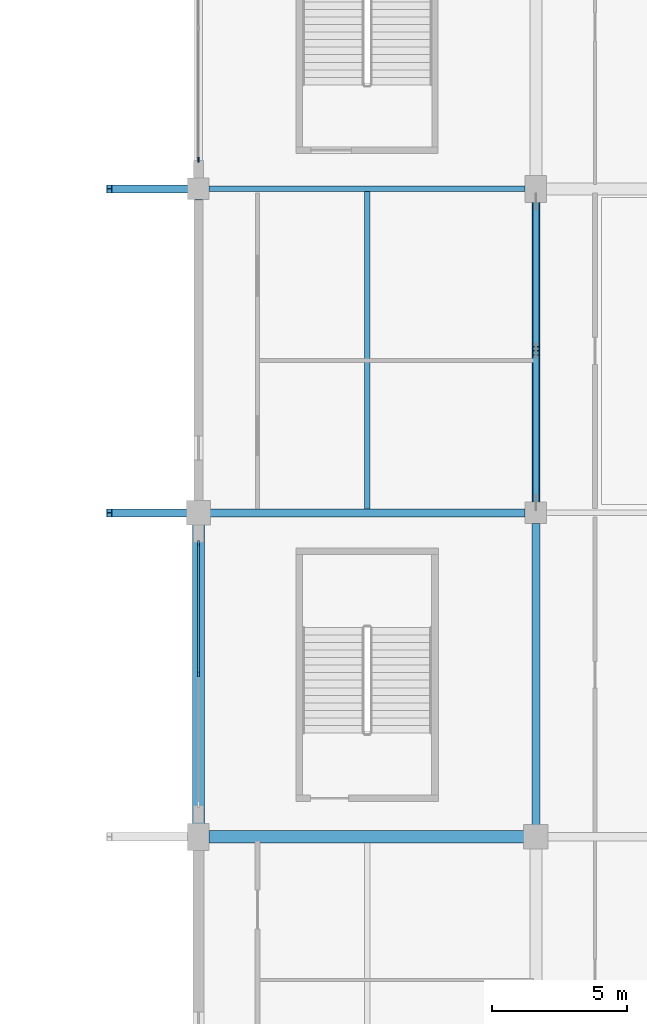
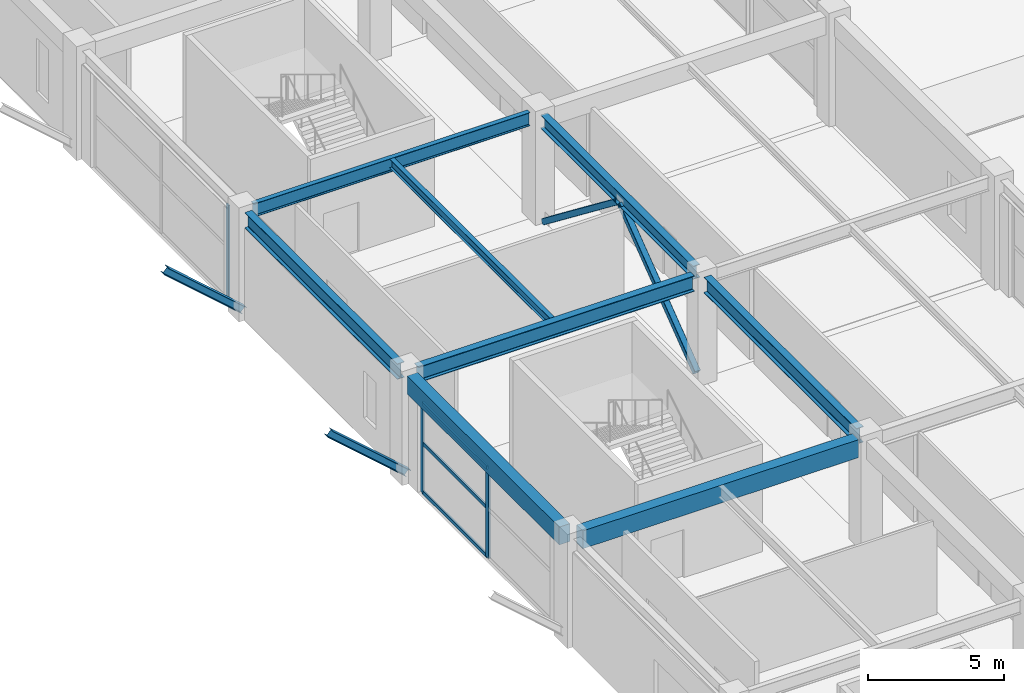
# One storey, part 35 of 116: 10 members, 8 beams, 2 elements without a shape of their own.
"""IFC4 building model written with IfcOpenShell, lengths in metres."""

from ifc_helpers import new_model, si_unit, direction, frame, origin, origin_2d, place, context, subcontext, project, spatial, rectangle, hollow_rectangle, i_section, extrude, material, layer, layer_set, material_profile, profile_set, type_object, element, aggregate, save


model = new_model("IFC4")

# Units and contexts
model_context = context("Model", 3, precision=1e-05, world=origin(), true_north=direction((0.0, 1.0)))
body_context = subcontext(model_context, "Body", "Model", "MODEL_VIEW")
ifc_project = project(units=[si_unit("LENGTHUNIT", "METRE"), si_unit("AREAUNIT", "SQUARE_METRE"), si_unit("VOLUMEUNIT", "CUBIC_METRE"), si_unit("PLANEANGLEUNIT", "RADIAN"), si_unit("MASSUNIT", "GRAM", prefix="KILO")], contexts=[model_context])

# Site, building, storey
site_placement = place(None, origin())
site = spatial("IfcSite", under=ifc_project, at=site_placement, CompositionType="ELEMENT")
building_placement = place(site_placement, origin())
building = spatial("IfcBuilding", under=site, at=building_placement, Name="Kazenohara Klinker Stadium", CompositionType="ELEMENT")
storey_placement = place(building_placement, frame((0.0, 0.0, 10.199951171875)))
storey = spatial("IfcBuildingStorey", under=building, at=storey_placement, Name="L02", CompositionType="ELEMENT", Elevation=10.199951171875)

# Beams
ifc_material_1 = material(Name="Steel S355", Category="steel")
ifc_material_profile_1 = material_profile(ifc_material_1, i_section(OverallWidth=0.199951171875, OverallDepth=0.39990234375, WebThickness=0.008056640625, FlangeThickness=0.012939453125, FilletRadius=0.012939453125, at=origin_2d()), Name="H-400x200x8x13")
ifc_profile_set_1 = profile_set([ifc_material_profile_1], Name="Steel S355")
beam_type_1 = type_object("IfcBeamType", Name="BM-JST03", PredefinedType="JOIST", material=ifc_profile_set_1)
beam_1_placement = place(storey_placement, frame((181.25, 60.14990234375, 4.6201171875), z_axis=(0.0, 1.0, 0.0), x_axis=(-1.0, 0.0, 0.0)))
element("IfcBeam", 1, at=beam_1_placement, inside=storey, type_object=beam_type_1, Name="Secondary floor joist SJ03 L02 15/F", PredefinedType="JOIST", context=body_context, shape_type="SweptSolid", body=[
    extrude(i_section(OverallWidth=0.199951171875, OverallDepth=0.39990234375, WebThickness=0.008056640625, FlangeThickness=0.012939453125, FilletRadius=0.012939453125, at=origin_2d()), origin(), (0.0, 0.0, 1.0), 11.75),
])
ifc_material_2 = material(Name="Concrete C40/50", Category="concrete")
ifc_material_profile_2 = material_profile(ifc_material_2, rectangle(XDim=0.449951171875, YDim=0.800048828125, at=origin_2d()), Name="RC-BM-450x800")
ifc_profile_set_2 = profile_set([ifc_material_profile_2], Name="Concrete C40/50")
beam_type_2 = type_object("IfcBeamType", Name="BM-RC03", PredefinedType="BEAM", material=ifc_profile_set_2)
beam_2_placement = place(storey_placement, frame((175.39990234375, 48.0, 4.420166015625), z_axis=(1.0, 0.0, 0.0), x_axis=(0.0, 1.0, 0.0)))
element("IfcBeam", 2, at=beam_2_placement, inside=storey, type_object=beam_type_2, Name="Primary girder BG03 L02 15-16/E", PredefinedType="BEAM", context=body_context, shape_type="SweptSolid", body=[
    extrude(rectangle(XDim=0.449951171875, YDim=0.800048828125, at=origin_2d()), origin(), (0.0, 0.0, 1.0), 11.68017578125),
])
beam_3_placement = place(storey_placement, frame((175.0, 48.419921875, 4.420166015625), z_axis=(0.0, 1.0, 0.0), x_axis=(-1.0, 0.0, 0.0)))
element("IfcBeam", 3, at=beam_3_placement, inside=storey, type_object=beam_type_2, Name="Primary girder BG03 L02 15/E-F", PredefinedType="BEAM", context=body_context, shape_type="SweptSolid", body=[
    extrude(rectangle(XDim=0.449951171875, YDim=0.800048828125, at=origin_2d()), origin(), (0.0, 0.0, 1.0), 11.16015625),
])
ifc_material_profile_3 = material_profile(ifc_material_1, i_section(OverallWidth=0.300048828125, OverallDepth=0.699951171875, WebThickness=0.012939453125, FlangeThickness=0.02392578125, FilletRadius=0.02197265625, at=origin_2d()), Name="H-700x300x13x24")
ifc_profile_set_3 = profile_set([ifc_material_profile_3], Name="Steel S355")
beam_type_3 = type_object("IfcBeamType", Name="BM-ST03", PredefinedType="BEAM", material=ifc_profile_set_3)
beam_4_placement = place(storey_placement, frame((175.419921875, 60.0, 4.469970703125), z_axis=(1.0, 0.0, 0.0), x_axis=(0.0, 1.0, 0.0)))
element("IfcBeam", 4, at=beam_4_placement, inside=storey, type_object=beam_type_3, Name="Primary girder SB03 L02 15-16/F", PredefinedType="BEAM", context=body_context, shape_type="SweptSolid", body=[
    extrude(i_section(OverallWidth=0.300048828125, OverallDepth=0.699951171875, WebThickness=0.012939453125, FlangeThickness=0.02392578125, FilletRadius=0.02197265625, at=origin_2d()), origin(), (0.0, 0.0, 1.0), 11.68017578125),
])
for number, where, z_axis, x_axis, name in (
    (5, (175.0, 60.419921875, 4.469970703125), (0.0, 1.0, 0.0), (-1.0, 0.0, 0.0), "Primary girder SB03 L02 15/F-G"),
    (6, (187.5, 48.419921875, 4.469970703125), (0.0, 1.0, 0.0), (-1.0, 0.0, 0.0), "Primary girder SB03 L02 16/E-F"),
):
    element("IfcBeam", number, at=place(storey_placement, frame(where, z_axis=z_axis, x_axis=x_axis)), inside=storey, type_object=beam_type_3, Name=name, PredefinedType="BEAM", context=body_context, shape_type="SweptSolid", body=[
        extrude(i_section(OverallWidth=0.300048828125, OverallDepth=0.699951171875, WebThickness=0.012939453125, FlangeThickness=0.02392578125, FilletRadius=0.02197265625, at=origin_2d()), origin(), (0.0, 0.0, 1.0), 11.18017578125),
    ])
ifc_material_profile_4 = material_profile(ifc_material_1, i_section(OverallWidth=0.199951171875, OverallDepth=0.60009765625, WebThickness=0.010986328125, FlangeThickness=0.01708984375, FilletRadius=0.012939453125, at=origin_2d()), Name="H-600x200x11x17")
ifc_profile_set_4 = profile_set([ifc_material_profile_4], Name="Steel S355")
beam_type_4 = type_object("IfcBeamType", Name="BM-ST04", PredefinedType="BEAM", material=ifc_profile_set_4)
beam_5_placement = place(storey_placement, frame((175.39990234375, 72.0, 4.52001953125), z_axis=(1.0, 0.0, 0.0), x_axis=(0.0, 1.0, 0.0)))
element("IfcBeam", 7, at=beam_5_placement, inside=storey, type_object=beam_type_4, Name="Primary girder SB04 L02 15-16/G", PredefinedType="BEAM", context=body_context, shape_type="SweptSolid", body=[
    extrude(i_section(OverallWidth=0.199951171875, OverallDepth=0.60009765625, WebThickness=0.010986328125, FlangeThickness=0.01708984375, FilletRadius=0.012939453125, at=origin_2d()), origin(), (0.0, 0.0, 1.0), 11.7001953125),
])
ifc_material_profile_5 = material_profile(ifc_material_1, i_section(OverallWidth=0.300048828125, OverallDepth=0.587890625, WebThickness=0.011962890625, FlangeThickness=0.02001953125, FilletRadius=0.02197265625, at=origin_2d()), Name="H-588x300x12x20")
ifc_profile_set_5 = profile_set([ifc_material_profile_5], Name="Steel S355")
beam_type_5 = type_object("IfcBeamType", Name="BM-ST05", PredefinedType="BEAM", material=ifc_profile_set_5)
beam_6_placement = place(storey_placement, frame((187.5, 60.39990234375, 4.526123046875), z_axis=(0.0, 1.0, 0.0), x_axis=(-1.0, 0.0, 0.0)))
element("IfcBeam", 8, at=beam_6_placement, inside=storey, type_object=beam_type_5, Name="Primary girder SB05 L02 16/F-G", PredefinedType="BEAM", context=body_context, shape_type="SweptSolid", body=[
    extrude(i_section(OverallWidth=0.300048828125, OverallDepth=0.587890625, WebThickness=0.011962890625, FlangeThickness=0.02001953125, FilletRadius=0.02197265625, at=origin_2d()), origin(), (0.0, 0.0, 1.0), 11.18017578125),
])

# Curtain wall, member
ifc_material_3 = material(Name="Anodised aluminium and triple glazing", Category="aluminium")
ifc_layer_1 = layer(ifc_material_3, 0.18994140625)
ifc_layer_set_1 = layer_set([ifc_layer_1], Name="Anodised aluminium and triple glazing")
curtain_wall_type_1 = type_object("IfcCurtainWallType", Name="CW-SYS-05", PredefinedType="USERDEFINED", material=ifc_layer_set_1)
curtain_wall_1_placement = place(storey_placement, origin())
curtain_wall_1 = element("IfcCurtainWall", 9, at=curtain_wall_1_placement, inside=storey, type_object=curtain_wall_type_1, Name="Unitised facade curtain wall CW05 L02 Y14-6", ObjectType="UNITISED CURTAIN WALL", PredefinedType="USERDEFINED")
ifc_material_4 = material(Name="Anodised aluminium 6063-T6", Category="aluminium")
ifc_material_profile_6 = material_profile(ifc_material_4, rectangle(XDim=0.06494140625, YDim=0.179931640625, at=origin_2d()), Name="ALU-MUL-65x180")
ifc_profile_set_6 = profile_set([ifc_material_profile_6], Name="Anodised aluminium 6063-T6")
member_type_1 = type_object("IfcMemberType", Name="CW-MUL-180", PredefinedType="MULLION", material=ifc_profile_set_6)
member_1_placement = place(storey_placement, frame((175.0, 73.08642578125, 0.0), z_axis=(0.0, 0.0, 1.0), x_axis=(-1.0, 0.0, 0.0)))
member_1 = element("IfcMember", 10, at=member_1_placement, type_object=member_type_1, Name="CW05 mullion 1", PredefinedType="MULLION", context=body_context, shape_type="SweptSolid", body=[
    extrude(rectangle(XDim=0.06494140625, YDim=0.179931640625, at=origin_2d()), origin(), (0.0, 0.0, 1.0), 4.23193359375),
])
aggregate(curtain_wall_1, [member_1])

# Curtain wall, members
ifc_layer_2 = layer(ifc_material_3, 0.169921875)
ifc_layer_set_2 = layer_set([ifc_layer_2], Name="Anodised aluminium and triple glazing")
curtain_wall_type_2 = type_object("IfcCurtainWallType", Name="CW-SYS-04", PredefinedType="USERDEFINED", material=ifc_layer_set_2)
curtain_wall_2_placement = place(storey_placement, origin())
curtain_wall_2 = element("IfcCurtainWall", 11, at=curtain_wall_2_placement, inside=storey, type_object=curtain_wall_type_2, Name="Unitised facade curtain wall CW04 L02 Y14-4", ObjectType="UNITISED CURTAIN WALL", PredefinedType="USERDEFINED")
ifc_material_profile_7 = material_profile(ifc_material_4, rectangle(XDim=0.074951171875, YDim=0.219970703125, at=origin_2d()), Name="ALU-MUL-75x220")
ifc_profile_set_7 = profile_set([ifc_material_profile_7], Name="Anodised aluminium 6063-T6")
member_type_2 = type_object("IfcMemberType", Name="CW-MUL-220", PredefinedType="MULLION", material=ifc_profile_set_7)
member_2_placement = place(storey_placement, frame((175.0, 54.02490234375, 0.0), z_axis=(0.0, 0.0, 1.0), x_axis=(-1.0, 0.0, 0.0)))
member_2 = element("IfcMember", 12, at=member_2_placement, type_object=member_type_2, Name="CW04 mullion 2", PredefinedType="MULLION", context=body_context, shape_type="SweptSolid", body=[
    extrude(rectangle(XDim=0.074951171875, YDim=0.219970703125, at=origin_2d()), origin(), (0.0, 0.0, 1.0), 4.02001953125),
])
member_3_placement = place(storey_placement, frame((175.0, 58.8583984375, 0.0), z_axis=(0.0, 0.0, 1.0), x_axis=(-1.0, 0.0, 0.0)))
member_3 = element("IfcMember", 13, at=member_3_placement, type_object=member_type_2, Name="CW04 mullion 3", PredefinedType="MULLION", context=body_context, shape_type="SweptSolid", body=[
    extrude(rectangle(XDim=0.074951171875, YDim=0.219970703125, at=origin_2d()), origin(), (0.0, 0.0, 1.0), 4.02001953125),
])
ifc_material_profile_8 = material_profile(ifc_material_4, rectangle(XDim=0.074951171875, YDim=0.159912109375, at=origin_2d()), Name="ALU-TRN-75x160")
ifc_profile_set_8 = profile_set([ifc_material_profile_8], Name="Anodised aluminium 6063-T6")
member_type_3 = type_object("IfcMemberType", Name="CW-TRN-160", PredefinedType="USERDEFINED", material=ifc_profile_set_8)
member_4_placement = place(storey_placement, frame((175.0, 54.0625, 0.03759765625), z_axis=(0.0, 1.0, 0.0), x_axis=(-1.0, 0.0, 0.0)))
member_4 = element("IfcMember", 14, at=member_4_placement, type_object=member_type_3, Name="CW04 transom 2.1", ObjectType="TRANSOM", PredefinedType="USERDEFINED", context=body_context, shape_type="SweptSolid", body=[
    extrude(rectangle(XDim=0.074951171875, YDim=0.159912109375, at=origin_2d()), origin(), (0.0, 0.0, 1.0), 4.758544921875),
])
member_5_placement = place(storey_placement, frame((175.0, 54.0625, 2.2109375), z_axis=(0.0, 1.0, 0.0), x_axis=(-1.0, 0.0, 0.0)))
member_5 = element("IfcMember", 15, at=member_5_placement, type_object=member_type_3, Name="CW04 transom 2.2", ObjectType="TRANSOM", PredefinedType="USERDEFINED", context=body_context, shape_type="SweptSolid", body=[
    extrude(rectangle(XDim=0.074951171875, YDim=0.159912109375, at=origin_2d()), origin(), (0.0, 0.0, 1.0), 4.758544921875),
])
member_6_placement = place(storey_placement, frame((175.0, 54.0625, 3.982666015625), z_axis=(0.0, 1.0, 0.0), x_axis=(-1.0, 0.0, 0.0)))
member_6 = element("IfcMember", 16, at=member_6_placement, type_object=member_type_3, Name="CW04 transom 2.3", ObjectType="TRANSOM", PredefinedType="USERDEFINED", context=body_context, shape_type="SweptSolid", body=[
    extrude(rectangle(XDim=0.074951171875, YDim=0.159912109375, at=origin_2d()), origin(), (0.0, 0.0, 1.0), 4.758544921875),
])
aggregate(curtain_wall_2, [member_2, member_3, member_4, member_5, member_6])

# Members
ifc_material_profile_9 = material_profile(ifc_material_1, i_section(OverallWidth=0.300048828125, OverallDepth=0.300048828125, WebThickness=0.010009765625, FlangeThickness=0.014892578125, FilletRadius=0.012939453125, at=origin_2d()), Name="H-300x300x10x15")
ifc_profile_set_9 = profile_set([ifc_material_profile_9], Name="Steel S355")
member_type_4 = type_object("IfcMemberType", Name="MEM-BRC01", PredefinedType="BRACE", material=ifc_profile_set_9)
for number, where, z_axis, x_axis, name in (
    (17, (175.0, 60.0, 0.199951171875), (-0.750987889423, 0.0, 0.660315977347), (0.0, -1.0, 0.0), "Upper bowl raking bracket strut BR01 East F"),
    (18, (175.0, 72.0, 0.199951171875), (-0.750987889423, 0.0, 0.660315977347), (0.0, -1.0, 0.0), "Upper bowl raking bracket strut BR01 East G"),
):
    element("IfcMember", number, at=place(storey_placement, frame(where, z_axis=z_axis, x_axis=x_axis)), inside=storey, type_object=member_type_4, Name=name, PredefinedType="BRACE", context=body_context, shape_type="SweptSolid", body=[
        extrude(i_section(OverallWidth=0.300048828125, OverallDepth=0.300048828125, WebThickness=0.010009765625, FlangeThickness=0.014892578125, FilletRadius=0.012939453125, at=origin_2d()), origin(), (0.0, 0.0, 1.0), 4.394287109375),
    ])
ifc_material_profile_10 = material_profile(ifc_material_1, hollow_rectangle(XDim=0.25, YDim=0.25, WallThickness=0.009033203125, InnerFilletRadius=0.009033203125, OuterFilletRadius=0.01806640625, at=origin_2d()), Name="SHS-250x250x9")
ifc_profile_set_10 = profile_set([ifc_material_profile_10], Name="Steel S355")
member_type_5 = type_object("IfcMemberType", Name="MEM-BRC07", PredefinedType="BRACE", material=ifc_profile_set_10)
member_7_placement = place(storey_placement, frame((187.5, 60.3798828125, 0.050048828125), z_axis=(0.0, 0.796752480251, 0.604305787837), x_axis=(-1.0, 0.0, 0.0)))
element("IfcMember", 19, at=member_7_placement, inside=storey, type_object=member_type_5, Name="Concentric brace BR07 L02 16/F A", PredefinedType="BRACE", context=body_context, shape_type="SweptSolid", body=[
    extrude(hollow_rectangle(XDim=0.25, YDim=0.25, WallThickness=0.009033203125, InnerFilletRadius=0.009033203125, OuterFilletRadius=0.01806640625, at=origin_2d()), origin(), (0.0, 0.0, 1.0), 6.953369140625),
])
member_8_placement = place(storey_placement, frame((187.5, 71.52001953125, 0.050048828125), z_axis=(0.0, -0.791403715508, 0.611293840212), x_axis=(1.0, 0.0, 0.0)))
element("IfcMember", 20, at=member_8_placement, inside=storey, type_object=member_type_5, Name="Concentric brace BR07 L02 16/F B", PredefinedType="BRACE", context=body_context, shape_type="SweptSolid", body=[
    extrude(hollow_rectangle(XDim=0.25, YDim=0.25, WallThickness=0.009033203125, InnerFilletRadius=0.009033203125, OuterFilletRadius=0.01806640625, at=origin_2d()), origin(), (0.0, 0.0, 1.0), 6.873779296875),
])

save(model, "model.ifc")
